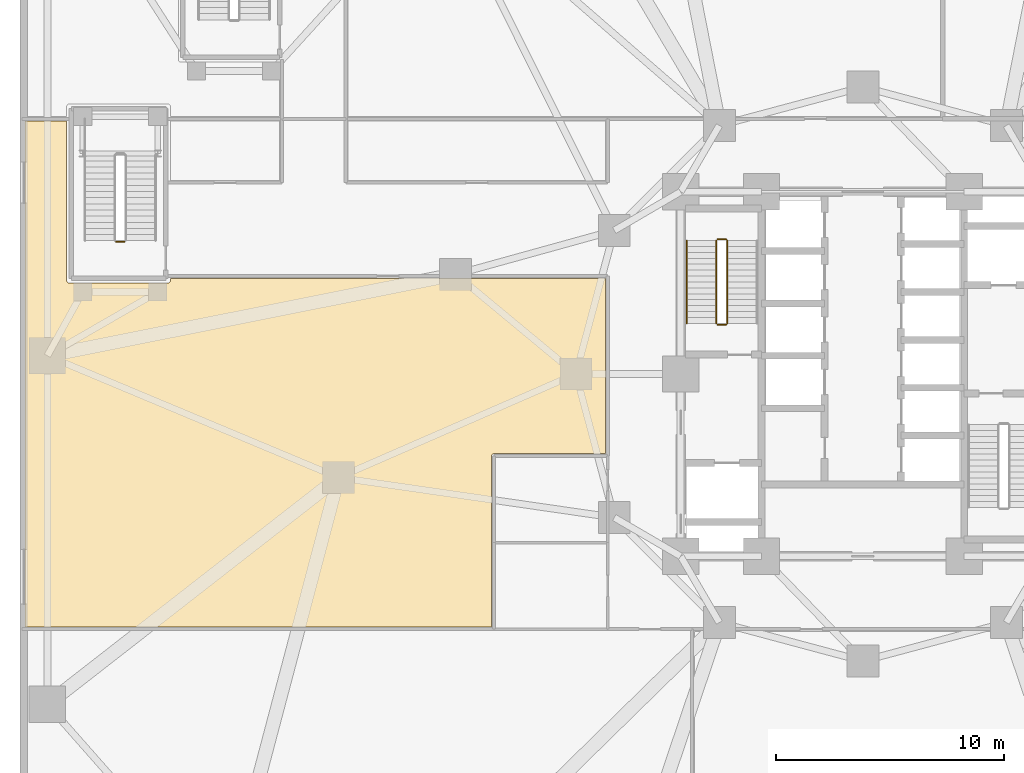
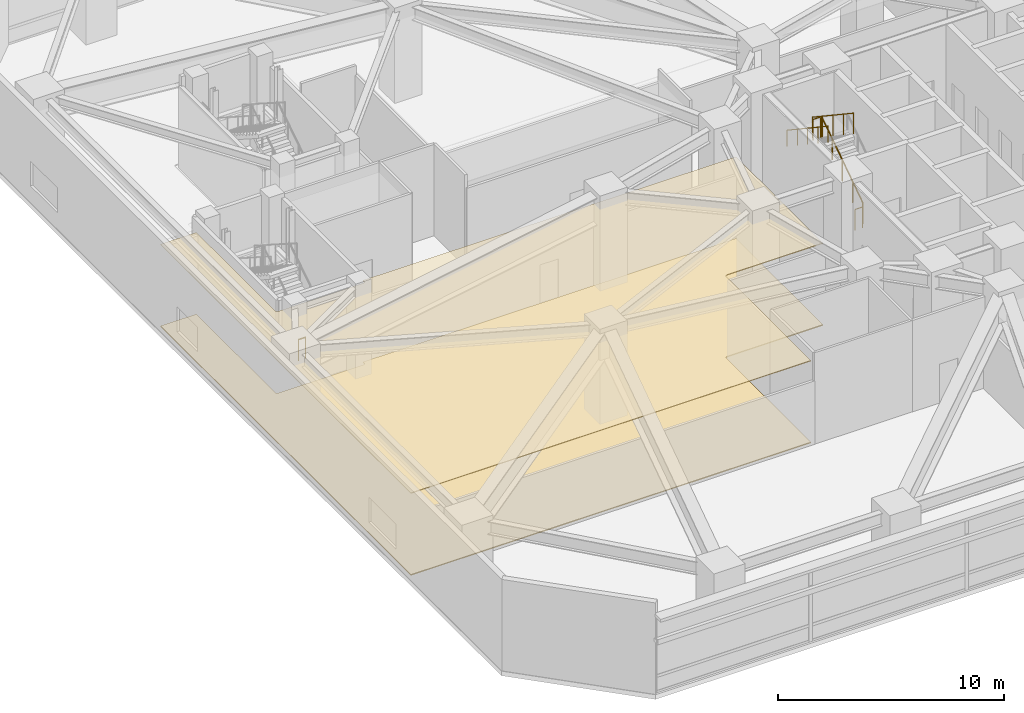
# One storey, part 22 of 27: 6 railings, 2 coverings.
"""IFC4 building model written with IfcOpenShell, lengths in metres."""

from ifc_helpers import new_model, si_unit, direction, frame, origin, origin_2d, place, context, subcontext, project, spatial, polyline, circle, outline, extrude, material, layer, layer_set, type_object, element, save


model = new_model("IFC4")

# Units and contexts
model_context = context("Model", 3, precision=1e-05, world=origin(), true_north=direction((0.0, 1.0)))
body_context = subcontext(model_context, "Body", "Model", "MODEL_VIEW")
ifc_project = project(units=[si_unit("LENGTHUNIT", "METRE"), si_unit("AREAUNIT", "SQUARE_METRE"), si_unit("VOLUMEUNIT", "CUBIC_METRE"), si_unit("PLANEANGLEUNIT", "RADIAN"), si_unit("MASSUNIT", "GRAM", prefix="KILO")], contexts=[model_context])

# Site, building, storey
site_placement = place(None, origin())
site = spatial("IfcSite", under=ifc_project, at=site_placement, CompositionType="ELEMENT")
building_placement = place(site_placement, origin())
building = spatial("IfcBuilding", under=site, at=building_placement, Name="Terralouvre Media Tower", CompositionType="ELEMENT")
storey_placement = place(building_placement, frame((0.0, 0.0, 15.60009765625)))
storey = spatial("IfcBuildingStorey", under=building, at=storey_placement, Name="L03", CompositionType="ELEMENT", Elevation=15.60009765625)

# Coverings
ifc_material_1 = material(Name="Resilient elastomer acoustic broadcast studio flooring")
ifc_layer_1 = layer(ifc_material_1, 0.050048828125, Name="Broadcast Studio Acoustic Floating Floor FL-AC1")
ifc_layer_set_1 = layer_set([ifc_layer_1], Name="Resilient elastomer acoustic broadcast studio flooring")
covering_type_1 = type_object("IfcCoveringType", Name="Broadcast Studio Acoustic Floating Floor FL-AC1", PredefinedType="FLOORING", material=ifc_layer_set_1)
covering_1_placement = place(storey_placement, origin())
element("IfcCovering", 1, at=covering_1_placement, inside=storey, type_object=covering_type_1, Name="L03 L03 National Radio Concert Theatre 1 Acoustic Floating Floor", PredefinedType="FLOORING", context=body_context, shape_type="SweptSolid", body=[
    extrude(outline(polyline([(-16.300048828125, -3.60009765625), (-16.299560546875, -3.590087890625), (-16.298095703125, -3.58056640625), (-16.295654296875, -3.571044921875), (-16.29248046875, -3.561767578125), (-16.2880859375, -3.552978515625), (-16.283203125, -3.54443359375), (-16.27734375, -3.53662109375), (-16.270751953125, -3.529296875), (-16.263427734375, -3.522705078125), (-16.255615234375, -3.516845703125), (-16.2470703125, -3.51171875), (-16.23828125, -3.507568359375), (-16.22900390625, -3.50439453125), (-16.219482421875, -3.501953125), (-16.209716796875, -3.50048828125), (-16.199951171875, -3.5), (-11.300048828125, -3.5), (-11.300048828125, 4.199951171875), (-30.39990234375, 4.199951171875), (-30.39990234375, 4.10009765625), (-30.400390625, 4.090087890625), (-30.40185546875, 4.08056640625), (-30.404296875, 4.071044921875), (-30.40771484375, 4.061767578125), (-30.411865234375, 4.052978515625), (-30.4169921875, 4.04443359375), (-30.422607421875, 4.03662109375), (-30.42919921875, 4.029296875), (-30.4365234375, 4.022705078125), (-30.4443359375, 4.016845703125), (-30.452880859375, 4.01171875), (-30.461669921875, 4.007568359375), (-30.470947265625, 4.00439453125), (-30.48046875, 4.001953125), (-30.490234375, 4.00048828125), (-30.5, 4.0), (-34.85009765625, 4.0), (-34.85986328125, 4.00048828125), (-34.869384765625, 4.001953125), (-34.87890625, 4.00439453125), (-34.88818359375, 4.007568359375), (-34.897216796875, 4.01171875), (-34.905517578125, 4.016845703125), (-34.913330078125, 4.022705078125), (-34.920654296875, 4.029296875), (-34.92724609375, 4.03662109375), (-34.93310546875, 4.04443359375), (-34.938232421875, 4.052978515625), (-34.9423828125, 4.061767578125), (-34.94580078125, 4.071044921875), (-34.947998046875, 4.08056640625), (-34.949462890625, 4.090087890625), (-34.949951171875, 4.10009765625), (-34.949951171875, 11.10009765625), (-36.780029296875, 11.10009765625), (-36.780029296875, -11.10009765625), (-16.300048828125, -11.10009765625), (-16.300048828125, -3.60009765625)])), origin(), (0.0, 0.0, 1.0), 0.0498046875),
])
ifc_material_2 = material(Name="Perforated aluminium acoustic ceiling baffle", Category="aluminium")
ifc_layer_2 = layer(ifc_material_2, 0.0400390625, Name="Perforated Acoustic Metal Tile Ceiling CL-AC1")
ifc_layer_set_2 = layer_set([ifc_layer_2], Name="Perforated aluminium acoustic ceiling baffle")
covering_type_2 = type_object("IfcCoveringType", Name="Perforated Acoustic Metal Tile Ceiling CL-AC1", PredefinedType="CEILING", material=ifc_layer_set_2)
covering_2_placement = place(storey_placement, frame((0.0, 0.0, 4.429931640625)))
element("IfcCovering", 2, at=covering_2_placement, inside=storey, type_object=covering_type_2, Name="L03 L03 National Radio Concert Theatre 1 Acoustic Ceiling", PredefinedType="CEILING", context=body_context, shape_type="SweptSolid", body=[
    extrude(outline(polyline([(-16.300048828125, -3.60009765625), (-16.299560546875, -3.590087890625), (-16.298095703125, -3.58056640625), (-16.295654296875, -3.571044921875), (-16.29248046875, -3.561767578125), (-16.2880859375, -3.552978515625), (-16.283203125, -3.54443359375), (-16.27734375, -3.53662109375), (-16.270751953125, -3.529296875), (-16.263427734375, -3.522705078125), (-16.255615234375, -3.516845703125), (-16.2470703125, -3.51171875), (-16.23828125, -3.507568359375), (-16.22900390625, -3.50439453125), (-16.219482421875, -3.501953125), (-16.209716796875, -3.50048828125), (-16.199951171875, -3.5), (-11.300048828125, -3.5), (-11.300048828125, 4.199951171875), (-30.39990234375, 4.199951171875), (-30.39990234375, 4.10009765625), (-30.400390625, 4.090087890625), (-30.40185546875, 4.08056640625), (-30.404296875, 4.071044921875), (-30.40771484375, 4.061767578125), (-30.411865234375, 4.052978515625), (-30.4169921875, 4.04443359375), (-30.422607421875, 4.03662109375), (-30.42919921875, 4.029296875), (-30.4365234375, 4.022705078125), (-30.4443359375, 4.016845703125), (-30.452880859375, 4.01171875), (-30.461669921875, 4.007568359375), (-30.470947265625, 4.00439453125), (-30.48046875, 4.001953125), (-30.490234375, 4.00048828125), (-30.5, 4.0), (-34.85009765625, 4.0), (-34.85986328125, 4.00048828125), (-34.869384765625, 4.001953125), (-34.87890625, 4.00439453125), (-34.88818359375, 4.007568359375), (-34.897216796875, 4.01171875), (-34.905517578125, 4.016845703125), (-34.913330078125, 4.022705078125), (-34.920654296875, 4.029296875), (-34.92724609375, 4.03662109375), (-34.93310546875, 4.04443359375), (-34.938232421875, 4.052978515625), (-34.9423828125, 4.061767578125), (-34.94580078125, 4.071044921875), (-34.947998046875, 4.08056640625), (-34.949462890625, 4.090087890625), (-34.949951171875, 4.10009765625), (-34.949951171875, 11.10009765625), (-36.780029296875, 11.10009765625), (-36.780029296875, -11.10009765625), (-16.300048828125, -11.10009765625), (-16.300048828125, -3.60009765625)])), origin(), (0.0, 0.0, 1.0), 0.0400390625),
])

# Railings
ifc_material_3 = material(Name="Stainless steel 316 handrail and balustrade", Category="steel")
ifc_layer_3 = layer(ifc_material_3, 0.050048828125, Name="Stair Flight Wall Handrail HR-INT1")
ifc_layer_set_3 = layer_set([ifc_layer_3], Name="Stainless steel 316 handrail and balustrade")
railing_type_1 = type_object("IfcRailingType", Name="Stair Flight Wall Handrail HR-INT1", PredefinedType="HANDRAIL", material=ifc_layer_set_3)
railing_1_placement = place(storey_placement, frame((-7.72998046875, 5.860107421875, 2.773193359375)))
element("IfcRailing", 3, at=railing_1_placement, inside=storey, type_object=railing_type_1, Name="L03 ST-01 stair handrail 2", PredefinedType="HANDRAIL", context=body_context, shape_type="SweptSolid", body=[
    extrude(circle(Radius=0.02392578125, at=origin_2d()), frame((0.0, 0.0, 0.8759765625), z_axis=(0.0, -0.832050294338, 0.554700196225), x_axis=(1.0, 0.0, 0.0)), (0.0, 0.0, 1.0), 4.375),
    extrude(circle(Radius=0.02099609375, at=origin_2d()), origin(), (0.0, 0.0, 1.0), 0.851806640625),
    extrude(circle(Radius=0.02099609375, at=origin_2d()), frame((0.0, -0.91015625, 0.606689453125)), (0.0, 0.0, 1.0), 0.851806640625),
    extrude(circle(Radius=0.02099609375, at=origin_2d()), frame((0.0, -1.820068359375, 1.21337890625)), (0.0, 0.0, 1.0), 0.851806640625),
    extrude(circle(Radius=0.02099609375, at=origin_2d()), frame((0.0, -2.72998046875, 1.820068359375)), (0.0, 0.0, 1.0), 0.851806640625),
    extrude(circle(Radius=0.02099609375, at=origin_2d()), frame((0.0, -3.64013671875, 2.4267578125)), (0.0, 0.0, 1.0), 0.851806640625),
])
ifc_material_4 = material(Name="Stainless steel 316 handrail and balustrade", Category="steel")
ifc_layer_4 = layer(ifc_material_4, 0.050048828125, Name="Stairwell Safety Guardrail GR-INT1")
ifc_layer_set_4 = layer_set([ifc_layer_4], Name="Stainless steel 316 handrail and balustrade")
railing_type_2 = type_object("IfcRailingType", Name="Stairwell Safety Guardrail GR-INT1", PredefinedType="GUARDRAIL", material=ifc_layer_set_4)
railing_2_placement = place(storey_placement, frame((-5.949951171875, 2.219970703125, 0.17333984375)))
element("IfcRailing", 4, at=railing_2_placement, inside=storey, type_object=railing_type_2, Name="L03 ST-01 stair guard 1", PredefinedType="GUARDRAIL", context=body_context, shape_type="SweptSolid", body=[
    extrude(circle(Radius=0.02392578125, at=origin_2d()), frame((0.0, 0.0, 1.1259765625), z_axis=(0.0, 0.832076050322, 0.554661560305), x_axis=(-1.0, 0.0, 0.0)), (0.0, 0.0, 1.0), 4.374755859375),
    extrude(circle(Radius=0.02099609375, at=origin_2d()), origin(), (0.0, 0.0, 1.0), 1.101806640625),
    extrude(circle(Radius=0.02099609375, at=origin_2d()), frame((0.0, 0.91015625, 0.606689453125)), (0.0, 0.0, 1.0), 1.101806640625),
    extrude(circle(Radius=0.02099609375, at=origin_2d()), frame((0.0, 1.820068359375, 1.21337890625)), (0.0, 0.0, 1.0), 1.101806640625),
    extrude(circle(Radius=0.02099609375, at=origin_2d()), frame((0.0, 2.72998046875, 1.81982421875)), (0.0, 0.0, 1.0), 1.101806640625),
    extrude(circle(Radius=0.02099609375, at=origin_2d()), frame((0.0, 3.64013671875, 2.426513671875)), (0.0, 0.0, 1.0), 1.101806640625),
])
railing_3_placement = place(storey_placement, frame((-6.0, 5.909912109375, 2.599853515625)))
element("IfcRailing", 5, at=railing_3_placement, inside=storey, type_object=railing_type_2, Name="L03 ST-01 stair guard 2", PredefinedType="GUARDRAIL", context=body_context, shape_type="SweptSolid", body=[
    extrude(circle(Radius=0.02392578125, at=origin_2d()), frame((0.0, 0.0, 1.1259765625), z_axis=(-1.0, 0.0, 0.0), x_axis=(0.0, -1.0, 0.0)), (0.0, 0.0, 1.0), 0.3798828125),
    extrude(circle(Radius=0.02099609375, at=origin_2d()), origin(), (0.0, 0.0, 1.0), 1.101806640625),
    extrude(circle(Radius=0.02099609375, at=origin_2d()), frame((-0.3798828125, 0.0, 0.0)), (0.0, 0.0, 1.0), 1.101806640625),
])
railing_4_placement = place(storey_placement, frame((-6.429931640625, 5.860107421875, 2.773193359375)))
element("IfcRailing", 6, at=railing_4_placement, inside=storey, type_object=railing_type_2, Name="L03 ST-01 stair guard 3", PredefinedType="GUARDRAIL", context=body_context, shape_type="SweptSolid", body=[
    extrude(circle(Radius=0.02392578125, at=origin_2d()), frame((0.0, 0.0, 1.1259765625), z_axis=(0.0, -0.832050294338, 0.554700196225), x_axis=(1.0, 0.0, 0.0)), (0.0, 0.0, 1.0), 4.375),
    extrude(circle(Radius=0.02099609375, at=origin_2d()), origin(), (0.0, 0.0, 1.0), 1.101806640625),
    extrude(circle(Radius=0.02099609375, at=origin_2d()), frame((0.0, -0.91015625, 0.606689453125)), (0.0, 0.0, 1.0), 1.101806640625),
    extrude(circle(Radius=0.02099609375, at=origin_2d()), frame((0.0, -1.820068359375, 1.21337890625)), (0.0, 0.0, 1.0), 1.101806640625),
    extrude(circle(Radius=0.02099609375, at=origin_2d()), frame((0.0, -2.72998046875, 1.820068359375)), (0.0, 0.0, 1.0), 1.101806640625),
    extrude(circle(Radius=0.02099609375, at=origin_2d()), frame((0.0, -3.64013671875, 2.4267578125)), (0.0, 0.0, 1.0), 1.101806640625),
])
railing_5_placement = place(storey_placement, frame((-6.0, 2.169921875, 0.0)))
element("IfcRailing", 7, at=railing_5_placement, inside=storey, type_object=railing_type_2, Name="L03 ST-01 stair guard 4", PredefinedType="GUARDRAIL", context=body_context, shape_type="SweptSolid", body=[
    extrude(circle(Radius=0.02392578125, at=origin_2d()), frame((0.0, 0.0, 1.1259765625), z_axis=(-1.0, 0.0, 0.0), x_axis=(0.0, -1.0, 0.0)), (0.0, 0.0, 1.0), 0.3798828125),
    extrude(circle(Radius=0.02099609375, at=origin_2d()), origin(), (0.0, 0.0, 1.0), 1.101806640625),
    extrude(circle(Radius=0.02099609375, at=origin_2d()), frame((-0.3798828125, 0.0, 0.0)), (0.0, 0.0, 1.0), 1.101806640625),
])
railing_6_placement = place(storey_placement, frame((-32.419921875, 5.800048828125, 0.0)))
element("IfcRailing", 8, at=railing_6_placement, inside=storey, type_object=railing_type_2, Name="L03 ST-03 stair guard 4", PredefinedType="GUARDRAIL", context=body_context, shape_type="SweptSolid", body=[
    extrude(circle(Radius=0.02392578125, at=origin_2d()), frame((0.0, 0.0, 1.1259765625), z_axis=(-1.0, 0.0, 0.0), x_axis=(0.0, -1.0, 0.0)), (0.0, 0.0, 1.0), 0.360107421875),
    extrude(circle(Radius=0.02099609375, at=origin_2d()), origin(), (0.0, 0.0, 1.0), 1.101806640625),
    extrude(circle(Radius=0.02099609375, at=origin_2d()), frame((-0.360107421875, 0.0, 0.0)), (0.0, 0.0, 1.0), 1.101806640625),
])

save(model, "model.ifc")
